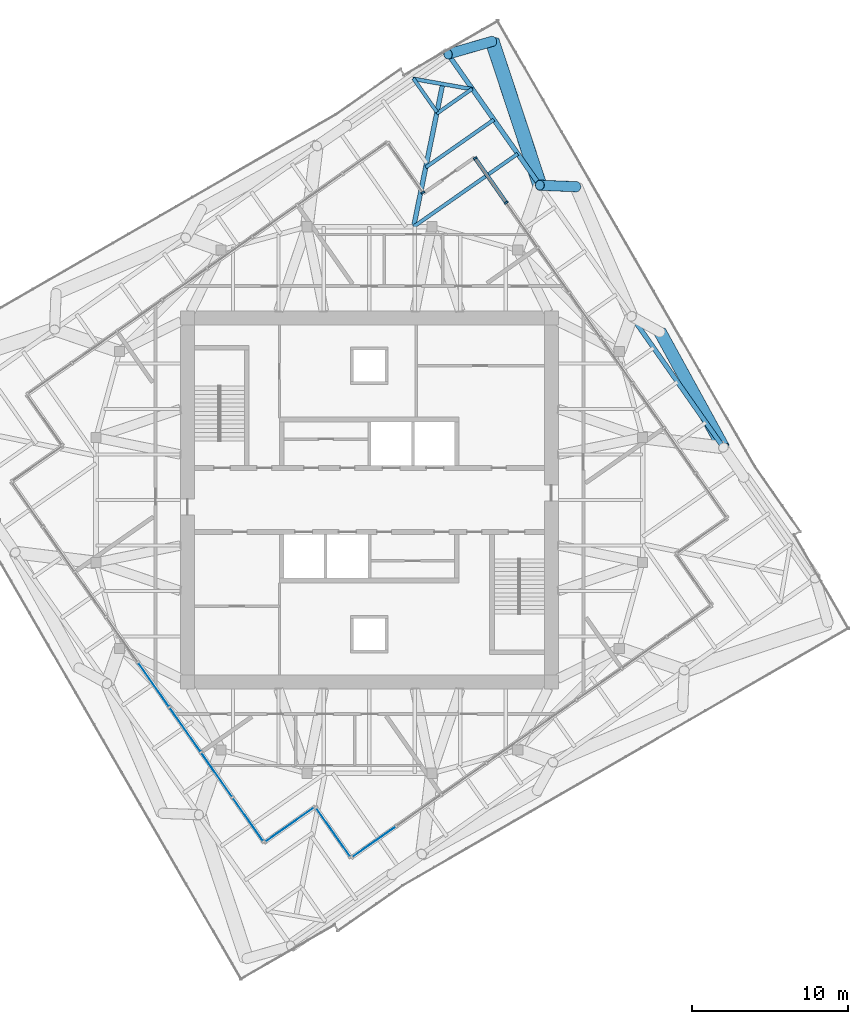
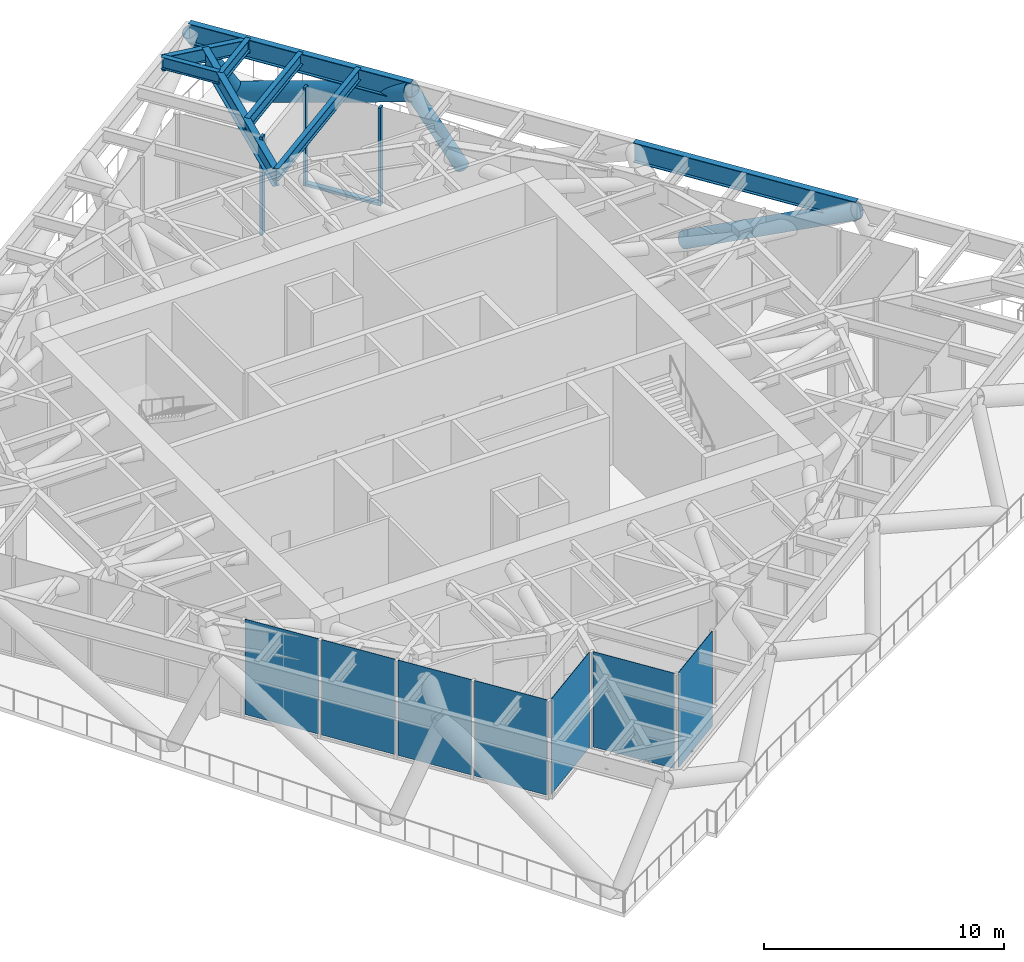
# One storey, part 6 of 16: 8 beams, 8 members, 7 plates, 6 elements without a shape of their own.
"""IFC4 building model written with IfcOpenShell, lengths in metres."""

from ifc_helpers import new_model, si_unit, direction, frame, origin, origin_2d, place, context, subcontext, project, spatial, rectangle, hollow_circle, i_section, extrude, material, layer, layer_set, material_profile, profile_set, type_object, element, aggregate, save


model = new_model("IFC4")

# Units and contexts
model_context = context("Model", 3, precision=1e-05, world=origin(), true_north=direction((0.0, 1.0)))
body_context = subcontext(model_context, "Body", "Model", "MODEL_VIEW")
ifc_project = project(units=[si_unit("LENGTHUNIT", "METRE"), si_unit("AREAUNIT", "SQUARE_METRE"), si_unit("VOLUMEUNIT", "CUBIC_METRE"), si_unit("PLANEANGLEUNIT", "RADIAN"), si_unit("MASSUNIT", "GRAM", prefix="KILO")], contexts=[model_context])

# Site, building, storey
site_placement = place(None, origin())
site = spatial("IfcSite", under=ifc_project, at=site_placement, CompositionType="ELEMENT")
building_placement = place(site_placement, origin())
building = spatial("IfcBuilding", under=site, at=building_placement, Name="Torsade Residences", CompositionType="ELEMENT")
storey_placement = place(building_placement, frame((0.0, 0.0, 235.39990234375)))
storey = spatial("IfcBuildingStorey", under=building, at=storey_placement, Name="L65", CompositionType="ELEMENT", Elevation=235.39990234375)

# Beams
ifc_material_1 = material(Name="Steel grade 300", Category="steel")
ifc_material_profile_1 = material_profile(ifc_material_1, i_section(OverallWidth=0.300048828125, OverallDepth=0.89990234375, WebThickness=0.011962890625, FlangeThickness=0.02490234375, at=origin_2d()), Name="900WB175")
ifc_profile_set_1 = profile_set([ifc_material_profile_1], Name="Steel grade 300")
beam_type_1 = type_object("IfcBeamType", Name="CORNER GIRDER 900WB175", PredefinedType="BEAM", material=ifc_profile_set_1)
beam_1_placement = place(storey_placement, frame((44.696533203125, 56.635986328125, 4.400146484375), z_axis=(-0.199584461589, -0.979880626756, 0.0), x_axis=(0.979880626756, -0.199584461589, 0.0)))
element("IfcBeam", 1, at=beam_1_placement, inside=storey, type_object=beam_type_1, Name="Corner girder 09 L66", PredefinedType="BEAM", context=body_context, shape_type="SweptSolid", body=[
    extrude(i_section(OverallWidth=0.300048828125, OverallDepth=0.89990234375, WebThickness=0.011962890625, FlangeThickness=0.02490234375, at=origin_2d()), origin(), (0.0, 0.0, 1.0), 9.323486328125),
])
ifc_material_2 = material(Name="Steel grade 300", Category="steel")
ifc_material_profile_2 = material_profile(ifc_material_2, i_section(OverallWidth=0.25, OverallDepth=0.699951171875, WebThickness=0.010009765625, FlangeThickness=0.02001953125, at=origin_2d()), Name="700WB130")
ifc_profile_set_2 = profile_set([ifc_material_profile_2], Name="Steel grade 300")
beam_type_2 = type_object("IfcBeamType", Name="CORNER TRIMMER 700WB130", PredefinedType="BEAM", material=ifc_profile_set_2)
beam_2_placement = place(storey_placement, frame((42.78173828125, 56.9736328125, 4.5), z_axis=(0.984808196894, -0.173645660267, 0.0), x_axis=(0.173645660267, 0.984808196894, 0.0)))
element("IfcBeam", 2, at=beam_2_placement, inside=storey, type_object=beam_type_2, Name="Corner trimmer 09 L66", PredefinedType="BEAM", context=body_context, shape_type="SweptSolid", body=[
    extrude(i_section(OverallWidth=0.25, OverallDepth=0.699951171875, WebThickness=0.010009765625, FlangeThickness=0.02001953125, at=origin_2d()), origin(), (0.0, 0.0, 1.0), 3.888916015625),
])

# Curtain wall, members
ifc_material_3 = material(Name="Aluminium and glass", Category="aluminium")
curtain_wall_type = type_object("IfcCurtainWallType", Name="TRANSFER LEVEL CURTAIN WALL HIGH ZONE", PredefinedType="NOTDEFINED", material=ifc_material_3)
curtain_wall_1_placement = place(storey_placement, origin())
curtain_wall_1 = element("IfcCurtainWall", 3, at=curtain_wall_1_placement, inside=storey, type_object=curtain_wall_type, Name="Curtain wall L65 face 4", PredefinedType="NOTDEFINED")
ifc_material_4 = material(Name="Aluminium mullion", Category="aluminium")
ifc_material_profile_3 = material_profile(ifc_material_4, rectangle(XDim=0.25, YDim=0.1201171875, at=origin_2d()), Name="HIGH ZONE TRANSFER CURTAIN WALL MULLION 250x120")
ifc_profile_set_3 = profile_set([ifc_material_profile_3], Name="Aluminium mullion")
member_type_1 = type_object("IfcMemberType", Name="HIGH ZONE TRANSFER CURTAIN WALL MULLION 250x120", PredefinedType="MULLION", material=ifc_profile_set_3)
member_1_placement = place(storey_placement, frame((48.760986328125, 49.044189453125, 0.0), z_axis=(0.0, 0.0, 1.0), x_axis=(-0.819152028472, -0.57357645894, 0.0)))
member_1 = element("IfcMember", 4, at=member_1_placement, type_object=member_type_1, Name="Mullion 8", PredefinedType="MULLION", context=body_context, shape_type="SweptSolid", body=[
    extrude(rectangle(XDim=0.25, YDim=0.1201171875, at=origin_2d()), origin(), (0.0, 0.0, 1.0), 5.0),
])
member_2_placement = place(storey_placement, frame((46.773681640625, 51.882568359375, 0.0), z_axis=(0.0, 0.0, 1.0), x_axis=(-0.819152028472, -0.57357645894, 0.0)))
member_2 = element("IfcMember", 5, at=member_2_placement, type_object=member_type_1, Name="Mullion 9", PredefinedType="MULLION", context=body_context, shape_type="SweptSolid", body=[
    extrude(rectangle(XDim=0.25, YDim=0.1201171875, at=origin_2d()), origin(), (0.0, 0.0, 1.0), 5.0),
])

# Curtain wall, member
curtain_wall_2_placement = place(storey_placement, origin())
curtain_wall_2 = element("IfcCurtainWall", 6, at=curtain_wall_2_placement, inside=storey, type_object=curtain_wall_type, Name="Curtain wall L65 face 6", PredefinedType="NOTDEFINED")
member_3_placement = place(storey_placement, frame((43.42822265625, 49.6865234375, 0.0), z_axis=(0.0, 0.0, 1.0), x_axis=(-0.819151999811, -0.573576499872, 0.0)))
member_3 = element("IfcMember", 7, at=member_3_placement, type_object=member_type_1, Name="Mullion 1", PredefinedType="MULLION", context=body_context, shape_type="SweptSolid", body=[
    extrude(rectangle(XDim=0.25, YDim=0.1201171875, at=origin_2d()), origin(), (0.0, 0.0, 1.0), 5.0),
])
aggregate(curtain_wall_2, [member_3])

# Member
ifc_material_5 = material(Name="Aluminium transom", Category="aluminium")
ifc_material_profile_4 = material_profile(ifc_material_5, rectangle(XDim=0.25, YDim=0.139892578125, at=origin_2d()), Name="HIGH ZONE TRANSFER CURTAIN WALL TRANSOM 250x140")
ifc_profile_set_4 = profile_set([ifc_material_profile_4], Name="Aluminium transom")
member_type_2 = type_object("IfcMemberType", Name="HIGH ZONE TRANSFER CURTAIN WALL TRANSOM 250x140", PredefinedType="USERDEFINED", material=ifc_profile_set_4)
member_4_placement = place(storey_placement, frame((48.7265625, 49.093505859375, 0.070068359375), z_axis=(-0.573555415158, 0.819166763085, 0.0), x_axis=(-0.819166763085, -0.573555415158, 0.0)))
member_4 = element("IfcMember", 8, at=member_4_placement, type_object=member_type_2, Name="Transom 8.1", ObjectType="TRANSOM", PredefinedType="USERDEFINED", context=body_context, shape_type="SweptSolid", body=[
    extrude(rectangle(XDim=0.25, YDim=0.139892578125, at=origin_2d()), origin(), (0.0, 0.0, 1.0), 3.344970703125),
])

aggregate(curtain_wall_1, [member_1, member_2, member_4])

# Beams
ifc_material_6 = material(Name="Steel grade 300", Category="steel")
ifc_material_profile_5 = material_profile(ifc_material_6, i_section(OverallWidth=0.22900390625, OverallDepth=0.612060546875, WebThickness=0.011962890625, FlangeThickness=0.01953125, FilletRadius=0.013916015625, at=origin_2d()), Name="610UB125")
ifc_profile_set_5 = profile_set([ifc_material_profile_5], Name="Steel grade 300")
beam_type_3 = type_object("IfcBeamType", Name="SECONDARY BEAM 610UB125", PredefinedType="JOIST", material=ifc_profile_set_5)
beam_3_placement = place(storey_placement, frame((49.50341796875, 52.16845703125, 4.544189453125), z_axis=(-0.819151588523, -0.573577087251, 0.0), x_axis=(0.573577087251, -0.819151588523, 0.0)))
element("IfcBeam", 9, at=beam_3_placement, inside=storey, type_object=beam_type_3, Name="Floor beam FE10 L66", PredefinedType="JOIST", context=body_context, shape_type="SweptSolid", body=[
    extrude(i_section(OverallWidth=0.22900390625, OverallDepth=0.612060546875, WebThickness=0.011962890625, FlangeThickness=0.01953125, FilletRadius=0.013916015625, at=origin_2d()), origin(), (0.0, 0.0, 1.0), 8.13916015625),
])
beam_4_placement = place(storey_placement, frame((47.973876953125, 54.352783203125, 4.544189453125), z_axis=(-0.819137197966, -0.573597638513, 0.0), x_axis=(0.573597638513, -0.819137197966, 0.0)))
element("IfcBeam", 10, at=beam_4_placement, inside=storey, type_object=beam_type_3, Name="Floor beam FE11 L66", PredefinedType="JOIST", context=body_context, shape_type="SweptSolid", body=[
    extrude(i_section(OverallWidth=0.22900390625, OverallDepth=0.612060546875, WebThickness=0.011962890625, FlangeThickness=0.01953125, FilletRadius=0.013916015625, at=origin_2d()), origin(), (0.0, 0.0, 1.0), 5.328369140625),
])
beam_5_placement = place(storey_placement, frame((46.587646484375, 56.332275390625, 4.544189453125), z_axis=(-0.819190669238, -0.573521270253, 0.0), x_axis=(0.573521270253, -0.819190669238, 0.0)))
element("IfcBeam", 11, at=beam_5_placement, inside=storey, type_object=beam_type_3, Name="Floor beam FE12 L66", PredefinedType="JOIST", context=body_context, shape_type="SweptSolid", body=[
    extrude(i_section(OverallWidth=0.22900390625, OverallDepth=0.612060546875, WebThickness=0.011962890625, FlangeThickness=0.01953125, FilletRadius=0.013916015625, at=origin_2d()), origin(), (0.0, 0.0, 1.0), 2.780517578125),
])
beam_6_placement = place(storey_placement, frame((42.815673828125, 56.99755859375, 4.544189453125), z_axis=(0.573592685254, -0.819140666445, 0.0), x_axis=(0.819140666445, 0.573592685254, 0.0)))
element("IfcBeam", 12, at=beam_6_placement, inside=storey, type_object=beam_type_3, Name="Floor beam FN01 L66", PredefinedType="JOIST", context=body_context, shape_type="SweptSolid", body=[
    extrude(i_section(OverallWidth=0.22900390625, OverallDepth=0.612060546875, WebThickness=0.011962890625, FlangeThickness=0.01953125, FilletRadius=0.013916015625, at=origin_2d()), origin(), (0.0, 0.0, 1.0), 2.639892578125),
])
ifc_material_7 = material(Name="Steel grade 300", Category="steel")
ifc_material_profile_6 = material_profile(ifc_material_7, i_section(OverallWidth=0.300048828125, OverallDepth=1.0, WebThickness=0.01611328125, FlangeThickness=0.028076171875, at=origin_2d()), Name="1000WB215")
ifc_profile_set_6 = profile_set([ifc_material_profile_6], Name="Steel grade 300")
beam_type_4 = type_object("IfcBeamType", Name="TRANSFER TRUSS CHORD 1000WB215", PredefinedType="USERDEFINED", material=ifc_profile_set_6)
beam_7_placement = place(storey_placement, frame((62.671875, 33.362060546875, 4.35009765625), z_axis=(-0.573579034377, 0.819150225126, 0.0), x_axis=(-0.819150225126, -0.573579034377, 0.0)))
element("IfcBeam", 13, at=beam_7_placement, inside=storey, type_object=beam_type_4, Name="Transfer truss TT7 top chord 06", ObjectType="TRANSFER TRUSS CHORD", PredefinedType="USERDEFINED", context=body_context, shape_type="SweptSolid", body=[
    extrude(i_section(OverallWidth=0.300048828125, OverallDepth=1.0, WebThickness=0.01611328125, FlangeThickness=0.028076171875, at=origin_2d()), origin(), (0.0, 0.0, 1.0), 10.25),
])
beam_8_placement = place(storey_placement, frame((50.91357421875, 50.154541015625, 4.35009765625), z_axis=(-0.573583825578, 0.819146870247, 0.0), x_axis=(-0.819146870247, -0.573583825578, 0.0)))
element("IfcBeam", 14, at=beam_8_placement, inside=storey, type_object=beam_type_4, Name="Transfer truss TT7 top chord 08", ObjectType="TRANSFER TRUSS CHORD", PredefinedType="USERDEFINED", context=body_context, shape_type="SweptSolid", body=[
    extrude(i_section(OverallWidth=0.300048828125, OverallDepth=1.0, WebThickness=0.01611328125, FlangeThickness=0.028076171875, at=origin_2d()), origin(), (0.0, 0.0, 1.0), 10.250244140625),
])

# Members
ifc_material_8 = material(Name="Steel grade 450", Category="steel")
ifc_material_profile_7 = material_profile(ifc_material_8, hollow_circle(Radius=0.406494140625, WallThickness=0.02490234375, at=origin_2d()), Name="813.0x25.0CHS")
ifc_profile_set_7 = profile_set([ifc_material_profile_7], Name="Steel grade 450")
member_type_3 = type_object("IfcMemberType", Name="TRANSFER TRUSS DIAGONAL 813.0x25.0CHS", PredefinedType="BRACE", material=ifc_profile_set_7)
member_5_placement = place(storey_placement, frame((58.61962890625, 40.75, -0.199951171875), z_axis=(0.423154158302, -0.771482587323, 0.475137007367), x_axis=(0.876772607418, 0.48090518284, 0.0)))
element("IfcMember", 15, at=member_5_placement, inside=storey, type_object=member_type_3, Name="Transfer truss TT7 diagonal 06", PredefinedType="BRACE", context=body_context, shape_type="SweptSolid", body=[
    extrude(hollow_circle(Radius=0.406494140625, WallThickness=0.02490234375, at=origin_2d()), origin(), (0.0, 0.0, 1.0), 9.576171875),
])
ifc_material_9 = material(Name="Steel grade 450", Category="steel")
ifc_material_profile_8 = material_profile(ifc_material_9, hollow_circle(Radius=0.45703125, WallThickness=0.028076171875, at=origin_2d()), Name="914.0x28.0CHS")
ifc_profile_set_8 = profile_set([ifc_material_profile_8], Name="Steel grade 450")
member_type_4 = type_object("IfcMemberType", Name="TRANSFER TRUSS DIAGONAL 914.0x28.0CHS", PredefinedType="BRACE", material=ifc_profile_set_8)
member_6_placement = place(storey_placement, frame((47.86962890625, 59.36962890625, -0.199951171875), z_axis=(0.283989674445, -0.859736145488, 0.424503975188), x_axis=(0.94953764907, 0.313653077457, 0.0)))
element("IfcMember", 16, at=member_6_placement, inside=storey, type_object=member_type_4, Name="Transfer truss TT7 diagonal 08", PredefinedType="BRACE", context=body_context, shape_type="SweptSolid", body=[
    extrude(hollow_circle(Radius=0.45703125, WallThickness=0.028076171875, at=origin_2d()), origin(), (0.0, 0.0, 1.0), 10.718505859375),
])
ifc_material_10 = material(Name="Steel grade 450", Category="steel")
ifc_material_profile_9 = material_profile(ifc_material_10, hollow_circle(Radius=0.330078125, WallThickness=0.01806640625, at=origin_2d()), Name="660.0x18.0CHS")
ifc_profile_set_9 = profile_set([ifc_material_profile_9], Name="Steel grade 450")
member_type_5 = type_object("IfcMemberType", Name="TRANSFER TRUSS RAKING STRUT 660.0x18.0CHS", PredefinedType="STRUT", material=ifc_profile_set_9)
member_7_placement = place(storey_placement, frame((53.24462890625, 50.059814453125, -0.199951171875), z_axis=(-0.455881583355, 0.018525560781, 0.88984761929), x_axis=(-0.040603271334, -0.999175347152, 0.0)))
element("IfcMember", 17, at=member_7_placement, inside=storey, type_object=member_type_5, Name="Transfer truss TT7 raking strut 08", PredefinedType="STRUT", context=body_context, shape_type="SweptSolid", body=[
    extrude(hollow_circle(Radius=0.330078125, WallThickness=0.01806640625, at=origin_2d()), origin(), (0.0, 0.0, 1.0), 5.11328125),
])
member_8_placement = place(storey_placement, frame((47.86962890625, 59.36962890625, -0.199951171875), z_axis=(-0.522821549237, -0.150940300895, 0.838972379295), x_axis=(0.277375067068, -0.960761714562, 0.0)))
element("IfcMember", 18, at=member_8_placement, inside=storey, type_object=member_type_5, Name="Transfer truss TT7 raking strut 09", PredefinedType="STRUT", context=body_context, shape_type="SweptSolid", body=[
    extrude(hollow_circle(Radius=0.330078125, WallThickness=0.01806640625, at=origin_2d()), origin(), (0.0, 0.0, 1.0), 5.42333984375),
])

# Curtain wall, plate
curtain_wall_3_placement = place(storey_placement, origin())
curtain_wall_3 = element("IfcCurtainWall", 19, at=curtain_wall_3_placement, inside=storey, type_object=curtain_wall_type, Name="Curtain wall L65 face 1", PredefinedType="NOTDEFINED")
ifc_material_11 = material(Name="Laminated glass", Category="glass")
ifc_layer = layer(ifc_material_11, 0.02392578125)
ifc_layer_set = layer_set([ifc_layer], Name="Laminated glass")
plate_type = type_object("IfcPlateType", Name="CLEAR GLASS PANEL", PredefinedType="CURTAIN_PANEL", material=ifc_layer_set)
plate_1_placement = place(storey_placement, frame((40.300048828125, 8.114013671875, 0.14013671875), z_axis=(0.0, 0.0, 1.0), x_axis=(0.819152028472, 0.57357645894, 0.0)))
plate_1 = element("IfcPlate", 20, at=plate_1_placement, type_object=plate_type, Name="Panel 1", PredefinedType="CURTAIN_PANEL", context=body_context, shape_type="SweptSolid", body=[
    extrude(rectangle(XDim=3.344970703125, YDim=0.02392578125, at=origin_2d()), origin(), (0.0, 0.0, 1.0), 4.860107421875),
])
aggregate(curtain_wall_3, [plate_1])

# Curtain wall, plates
curtain_wall_4_placement = place(storey_placement, origin())
curtain_wall_4 = element("IfcCurtainWall", 21, at=curtain_wall_4_placement, inside=storey, type_object=curtain_wall_type, Name="Curtain wall L65 face 10", PredefinedType="NOTDEFINED")
plate_2_placement = place(storey_placement, frame((26.184326171875, 18.174560546875, 0.14013671875), z_axis=(0.0, 0.0, 1.0), x_axis=(0.57357645894, -0.819152028472, 0.0)))
plate_2 = element("IfcPlate", 22, at=plate_2_placement, type_object=plate_type, Name="Panel 5", PredefinedType="CURTAIN_PANEL", context=body_context, shape_type="SweptSolid", body=[
    extrude(rectangle(XDim=3.405029296875, YDim=0.02392578125, at=origin_2d()), origin(), (0.0, 0.0, 1.0), 4.860107421875),
])
plate_3_placement = place(storey_placement, frame((28.2060546875, 15.287109375, 0.14013671875), z_axis=(0.0, 0.0, 1.0), x_axis=(0.57357645894, -0.819152028472, 0.0)))
plate_3 = element("IfcPlate", 23, at=plate_3_placement, type_object=plate_type, Name="Panel 6", PredefinedType="CURTAIN_PANEL", context=body_context, shape_type="SweptSolid", body=[
    extrude(rectangle(XDim=3.405029296875, YDim=0.02392578125, at=origin_2d()), origin(), (0.0, 0.0, 1.0), 4.860107421875),
])
plate_4_placement = place(storey_placement, frame((30.22802734375, 12.3994140625, 0.14013671875), z_axis=(0.0, 0.0, 1.0), x_axis=(0.57357645894, -0.819152028472, 0.0)))
plate_4 = element("IfcPlate", 24, at=plate_4_placement, type_object=plate_type, Name="Panel 7", PredefinedType="CURTAIN_PANEL", context=body_context, shape_type="SweptSolid", body=[
    extrude(rectangle(XDim=3.405029296875, YDim=0.02392578125, at=origin_2d()), origin(), (0.0, 0.0, 1.0), 4.860107421875),
])
plate_5_placement = place(storey_placement, frame((32.232666015625, 9.53662109375, 0.14013671875), z_axis=(0.0, 0.0, 1.0), x_axis=(0.57357645894, -0.819152028472, 0.0)))
plate_5 = element("IfcPlate", 25, at=plate_5_placement, type_object=plate_type, Name="Panel 8", PredefinedType="CURTAIN_PANEL", context=body_context, shape_type="SweptSolid", body=[
    extrude(rectangle(XDim=3.344970703125, YDim=0.02392578125, at=origin_2d()), origin(), (0.0, 0.0, 1.0), 4.860107421875),
])
aggregate(curtain_wall_4, [plate_2, plate_3, plate_4, plate_5])

# Curtain wall, plate
curtain_wall_5_placement = place(storey_placement, origin())
curtain_wall_5 = element("IfcCurtainWall", 26, at=curtain_wall_5_placement, inside=storey, type_object=curtain_wall_type, Name="Curtain wall L65 face 11", PredefinedType="NOTDEFINED")
plate_6_placement = place(storey_placement, frame((34.899169921875, 9.21533203125, 0.14013671875), z_axis=(0.0, 0.0, 1.0), x_axis=(0.819152117278, 0.573576332112, 0.0)))
plate_6 = element("IfcPlate", 27, at=plate_6_placement, type_object=plate_type, Name="Panel 1", PredefinedType="CURTAIN_PANEL", context=body_context, shape_type="SweptSolid", body=[
    extrude(rectangle(XDim=3.760009765625, YDim=0.02392578125, at=origin_2d()), origin(), (0.0, 0.0, 1.0), 4.860107421875),
])
aggregate(curtain_wall_5, [plate_6])

curtain_wall_6_placement = place(storey_placement, origin())
curtain_wall_6 = element("IfcCurtainWall", 28, at=curtain_wall_6_placement, inside=storey, type_object=curtain_wall_type, Name="Curtain wall L65 face 12", PredefinedType="NOTDEFINED")
plate_7_placement = place(storey_placement, frame((37.6845703125, 8.72412109375, 0.14013671875), z_axis=(0.0, 0.0, 1.0), x_axis=(0.573576499872, -0.819151999811, 0.0)))
plate_7 = element("IfcPlate", 29, at=plate_7_placement, type_object=plate_type, Name="Panel 1", PredefinedType="CURTAIN_PANEL", context=body_context, shape_type="SweptSolid", body=[
    extrude(rectangle(XDim=3.760009765625, YDim=0.02392578125, at=origin_2d()), origin(), (0.0, 0.0, 1.0), 4.860107421875),
])
aggregate(curtain_wall_6, [plate_7])

save(model, "model.ifc")
